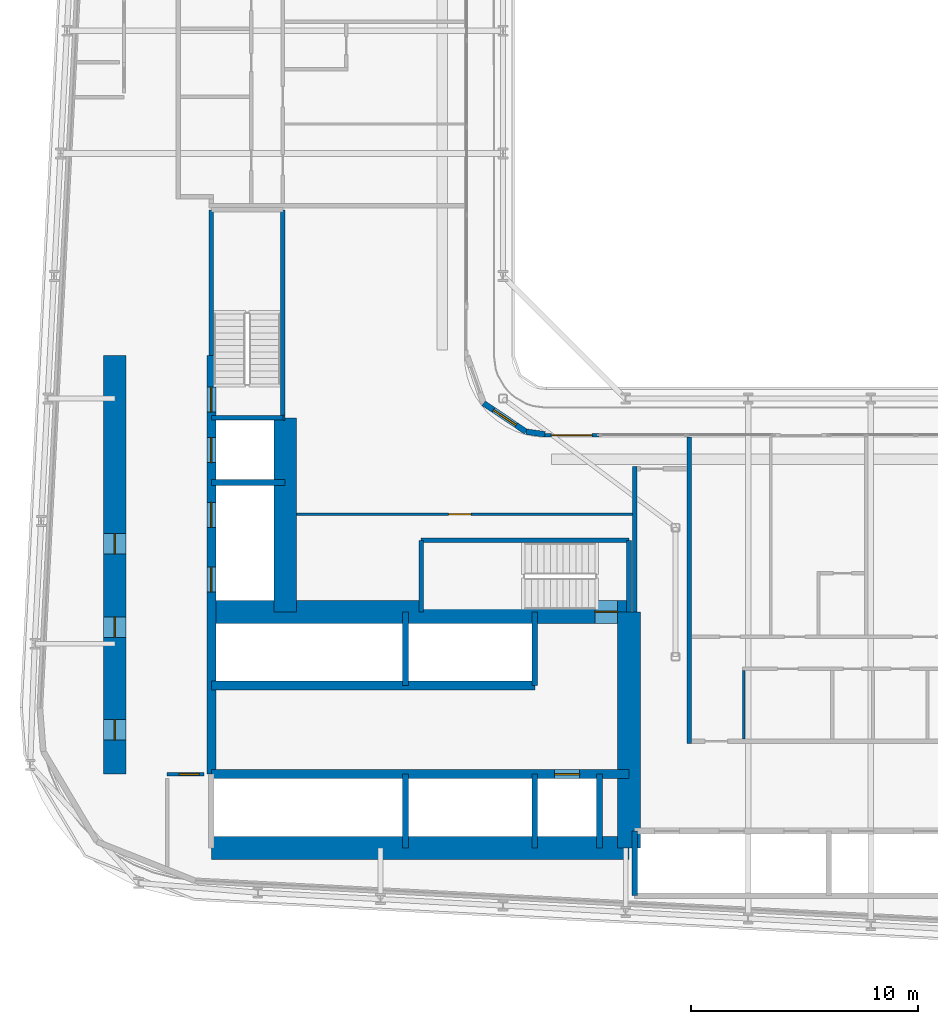
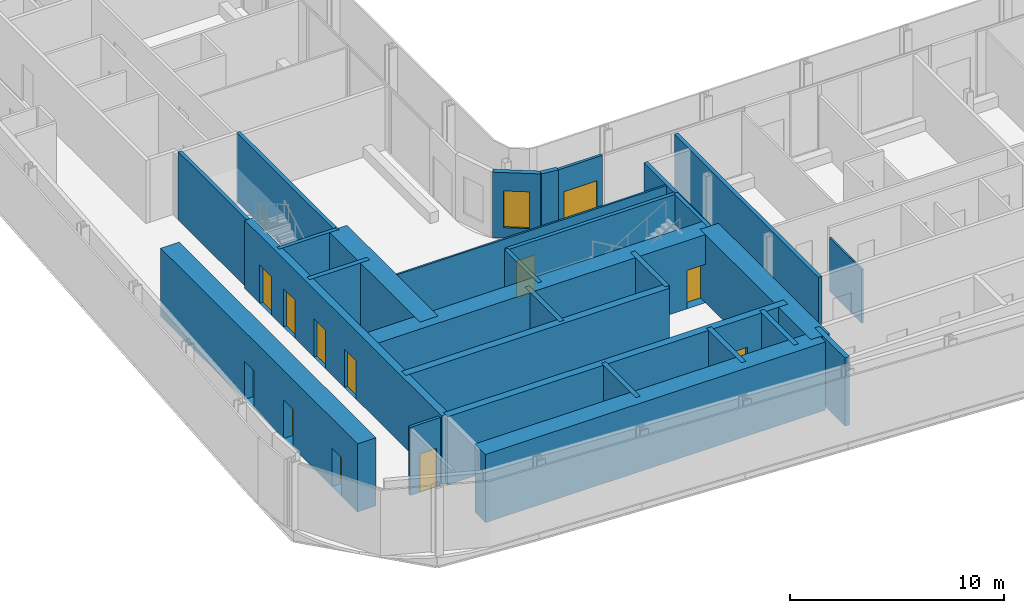
# One storey, part 12 of 27: 30 walls, 12 doors, 1 window, 13 openings.
"""IFC4 building model written with IfcOpenShell, lengths in metres."""

from ifc_helpers import new_model, si_unit, direction, frame, frame_2d, origin, place, context, subcontext, project, spatial, rectangle, extrude, source, transform, mapped, material, layer, layer_set, type_object, element, fill, save


model = new_model("IFC4")

# Units and contexts
model_context = context("Model", 3, precision=1e-05, world=origin(), true_north=direction((0.0, 1.0)))
body_context = subcontext(model_context, "Body", "Model", "MODEL_VIEW")
ifc_project = project(units=[si_unit("LENGTHUNIT", "METRE"), si_unit("AREAUNIT", "SQUARE_METRE"), si_unit("VOLUMEUNIT", "CUBIC_METRE"), si_unit("PLANEANGLEUNIT", "RADIAN"), si_unit("MASSUNIT", "GRAM", prefix="KILO")], contexts=[model_context])

# Site, building, storey
site_placement = place(None, origin())
site = spatial("IfcSite", under=ifc_project, at=site_placement, CompositionType="ELEMENT")
building_placement = place(site_placement, origin())
building = spatial("IfcBuilding", under=site, at=building_placement, Name="Kheshtan School and Residences Tower", CompositionType="ELEMENT")
storey_placement = place(building_placement, frame((0.0, 0.0, 57.800048828125)))
storey = spatial("IfcBuildingStorey", under=building, at=storey_placement, Name="L13", CompositionType="ELEMENT", Elevation=57.800048828125)

# Wall
ifc_material_1 = material(Name="Concrete C80/95", Category="concrete")
ifc_layer_1 = layer(ifc_material_1, 1.0)
ifc_layer_set_1 = layer_set([ifc_layer_1], Name="Core wall 1000 Concrete C80/95")
wall_type_1 = type_object("IfcWallType", Name="Core wall 1000 Concrete C80/95", PredefinedType="SHEAR", material=ifc_layer_set_1)
wall_1_placement = place(storey_placement, frame((34.75, 25.800048828125, 0.0), z_axis=(0.0, 0.0, 1.0), x_axis=(1.0, 0.0, 0.0)))
element("IfcWall", 1, at=wall_1_placement, inside=storey, type_object=wall_type_1, Name="Core wall CW-REAR-S", PredefinedType="SHEAR", context=body_context, shape_type="SweptSolid", body=[
    extrude(rectangle(XDim=18.39990234375, YDim=1.0, at=frame_2d((9.199951171875, 0.0))), origin(), (0.0, 0.0, 1.0), 3.89990234375),
])

# Wall, opening, door
wall_2_placement = place(storey_placement, frame((34.75, 36.199951171875, 0.0), z_axis=(0.0, 0.0, 1.0), x_axis=(1.0, 0.0, 0.0)))
wall_2 = element("IfcWall", 2, at=wall_2_placement, inside=storey, type_object=wall_type_1, Name="Core wall CW-FRONT-S", PredefinedType="SHEAR", context=body_context, shape_type="SweptSolid", body=[
    extrude(rectangle(XDim=18.39990234375, YDim=1.0, at=frame_2d((9.199951171875, 0.0))), origin(), (0.0, 0.0, 1.0), 3.89990234375),
])
opening_1_placement = place(wall_2_placement, frame((16.89990234375, 0.0, 0.0)))
opening_1 = element("IfcOpeningElement", 3, at=opening_1_placement, cuts=wall_2, Name="Opening ST1D", PredefinedType="OPENING", context=body_context, shape_type="SweptSolid", body=[
    extrude(rectangle(XDim=1.0, YDim=2.199951171875, at=frame_2d((0.5, 1.10009765625))), frame((0.0, 0.510009765625, 0.0), z_axis=(0.0, -1.0, 0.0), x_axis=(1.0, 0.0, 0.0)), (0.0, 0.0, 1.0), 1.02001953125),
])
ifc_material_2 = material(Name="Steel door leaf, galvanised", Category="steel")
door_type_1 = type_object("IfcDoorType", Name="Stair door 1100 steel 90 min", OperationType="SINGLE_SWING_LEFT", PredefinedType="DOOR", material=ifc_material_2)
shared_shape_1 = source(origin(), body_context, "Body", "SweptSolid", [
    extrude(rectangle(XDim=1.0, YDim=2.199951171875, at=frame_2d((0.5, 1.10009765625))), frame((0.0, 0.02490234375, 0.0), z_axis=(0.0, -1.0, 0.0), x_axis=(1.0, 0.0, 0.0)), (0.0, 0.0, 1.0), 0.050048828125),
])
door_1_placement = place(opening_1_placement, origin())
door_1 = element("IfcDoor", 4, at=door_1_placement, inside=storey, type_object=door_type_1, Name="Stair ST1 door", OperationType="SINGLE_SWING_RIGHT", OverallHeight=2.199951171875, OverallWidth=1.0, PredefinedType="DOOR", context=body_context, shape_type="MappedRepresentation", body=[
    mapped(shared_shape_1, transform((0.0, 0.0, 0.0), x_axis=(1.0, 0.0, 0.0), y_axis=(0.0, 1.0, 0.0), z_axis=(0.0, 0.0, 1.0), scale=1.0)),
])
fill(opening_1, door_1)

# Wall
wall_3_placement = place(storey_placement, frame((38.0, 36.199951171875, 0.0), z_axis=(0.0, 0.0, 1.0), x_axis=(0.0, 1.0, 0.0)))
element("IfcWall", 5, at=wall_3_placement, inside=storey, type_object=wall_type_1, Name="Core wall CW-FRONT-W", PredefinedType="SHEAR", context=body_context, shape_type="SweptSolid", body=[
    extrude(rectangle(XDim=8.550048828125, YDim=1.0, at=frame_2d((4.27490234375, 0.0))), origin(), (0.0, 0.0, 1.0), 3.89990234375),
])

# Wall, openings, doors
wall_4_placement = place(storey_placement, frame((30.5, 29.050048828125, 0.0), z_axis=(0.0, 0.0, 1.0), x_axis=(0.0, 1.0, 0.0)))
wall_4 = element("IfcWall", 6, at=wall_4_placement, inside=storey, type_object=wall_type_1, Name="Core wall CW-REAR-W", PredefinedType="SHEAR", context=body_context, shape_type="SweptSolid", body=[
    extrude(rectangle(XDim=18.449951171875, YDim=1.0, at=frame_2d((9.22509765625, 0.0))), origin(), (0.0, 0.0, 1.0), 3.89990234375),
])
opening_2_placement = place(wall_4_placement, frame((1.5, 0.0, 0.0)))
opening_2 = element("IfcOpeningElement", 7, at=opening_2_placement, cuts=wall_4, Name="Opening SR90", PredefinedType="OPENING", context=body_context, shape_type="SweptSolid", body=[
    extrude(rectangle(XDim=0.89990234375, YDim=2.199951171875, at=frame_2d((0.449951171875, 1.10009765625))), frame((0.0, 0.510009765625, 0.0), z_axis=(0.0, -1.0, 0.0), x_axis=(1.0, 0.0, 0.0)), (0.0, 0.0, 1.0), 1.02001953125),
])
opening_3_placement = place(wall_4_placement, frame((6.030029296875, 0.0, 0.0)))
opening_3 = element("IfcOpeningElement", 8, at=opening_3_placement, cuts=wall_4, Name="Opening SR90", PredefinedType="OPENING", context=body_context, shape_type="SweptSolid", body=[
    extrude(rectangle(XDim=0.89990234375, YDim=2.199951171875, at=frame_2d((0.449951171875, 1.10009765625))), frame((0.0, 0.510009765625, 0.0), z_axis=(0.0, -1.0, 0.0), x_axis=(1.0, 0.0, 0.0)), (0.0, 0.0, 1.0), 1.02001953125),
])
opening_4_placement = place(wall_4_placement, frame((9.699951171875, 0.0, 0.0)))
opening_4 = element("IfcOpeningElement", 9, at=opening_4_placement, cuts=wall_4, Name="Opening SR90", PredefinedType="OPENING", context=body_context, shape_type="SweptSolid", body=[
    extrude(rectangle(XDim=0.89990234375, YDim=2.199951171875, at=frame_2d((0.449951171875, 1.10009765625))), frame((0.0, 0.510009765625, 0.0), z_axis=(0.0, -1.0, 0.0), x_axis=(1.0, 0.0, 0.0)), (0.0, 0.0, 1.0), 1.02001953125),
])
door_type_2 = type_object("IfcDoorType", Name="Service room door 900 steel 90 min", OperationType="SINGLE_SWING_LEFT", PredefinedType="DOOR", material=ifc_material_2)
shared_shape_2 = source(origin(), body_context, "Body", "SweptSolid", [
    extrude(rectangle(XDim=0.89990234375, YDim=2.199951171875, at=frame_2d((0.449951171875, 1.10009765625))), frame((0.0, 0.02490234375, 0.0), z_axis=(0.0, -1.0, 0.0), x_axis=(1.0, 0.0, 0.0)), (0.0, 0.0, 1.0), 0.050048828125),
])
door_2_placement = place(opening_2_placement, origin())
door_2 = element("IfcDoor", 10, at=door_2_placement, inside=storey, type_object=door_type_2, Name="Service room door", OperationType="SINGLE_SWING_LEFT", OverallHeight=2.199951171875, OverallWidth=0.89990234375, PredefinedType="DOOR", context=body_context, shape_type="MappedRepresentation", body=[
    mapped(shared_shape_2, transform((0.0, 0.0, 0.0), x_axis=(1.0, 0.0, 0.0), y_axis=(0.0, 1.0, 0.0), z_axis=(0.0, 0.0, 1.0), scale=1.0)),
])
fill(opening_2, door_2)
door_3_placement = place(opening_3_placement, origin())
door_3 = element("IfcDoor", 11, at=door_3_placement, inside=storey, type_object=door_type_2, Name="Service room door", OperationType="SINGLE_SWING_RIGHT", OverallHeight=2.199951171875, OverallWidth=0.89990234375, PredefinedType="DOOR", context=body_context, shape_type="MappedRepresentation", body=[
    mapped(shared_shape_2, transform((0.0, 0.0, 0.0), x_axis=(1.0, 0.0, 0.0), y_axis=(0.0, 1.0, 0.0), z_axis=(0.0, 0.0, 1.0), scale=1.0)),
])
fill(opening_3, door_3)
door_4_placement = place(opening_4_placement, origin())
door_4 = element("IfcDoor", 12, at=door_4_placement, inside=storey, type_object=door_type_2, Name="Service room door", OperationType="SINGLE_SWING_LEFT", OverallHeight=2.199951171875, OverallWidth=0.89990234375, PredefinedType="DOOR", context=body_context, shape_type="MappedRepresentation", body=[
    mapped(shared_shape_2, transform((0.0, 0.0, 0.0), x_axis=(1.0, 0.0, 0.0), y_axis=(0.0, 1.0, 0.0), z_axis=(0.0, 0.0, 1.0), scale=1.0)),
])
fill(opening_4, door_4)

# Wall
wall_5_placement = place(storey_placement, frame((53.14990234375, 25.800048828125, 0.0), z_axis=(0.0, 0.0, 1.0), x_axis=(0.0, 1.0, 0.0)))
element("IfcWall", 13, at=wall_5_placement, inside=storey, type_object=wall_type_1, Name="Core wall CW-EAST", PredefinedType="SHEAR", context=body_context, shape_type="SweptSolid", body=[
    extrude(rectangle(XDim=10.39990234375, YDim=1.0, at=frame_2d((5.199951171875, 0.0))), origin(), (0.0, 0.0, 1.0), 3.89990234375),
])

# Wall, opening, door
ifc_material_3 = material(Name="Concrete C50/60", Category="concrete")
ifc_layer_2 = layer(ifc_material_3, 0.39990234375)
ifc_layer_set_2 = layer_set([ifc_layer_2], Name="Core wall 400 Concrete C50/60")
wall_type_2 = type_object("IfcWallType", Name="Core wall 400 Concrete C50/60", PredefinedType="SHEAR", material=ifc_layer_set_2)
wall_6_placement = place(storey_placement, frame((34.75, 29.050048828125, 0.0), z_axis=(0.0, 0.0, 1.0), x_axis=(1.0, 0.0, 0.0)))
wall_6 = element("IfcWall", 14, at=wall_6_placement, inside=storey, type_object=wall_type_2, Name="Core wall CW-HALL-S1", PredefinedType="SHEAR", context=body_context, shape_type="SweptSolid", body=[
    extrude(rectangle(XDim=18.39990234375, YDim=0.39990234375, at=frame_2d((9.199951171875, 0.0))), origin(), (0.0, 0.0, 1.0), 3.89990234375),
])
opening_5_placement = place(wall_6_placement, frame((15.125, 0.0, 0.0)))
opening_5 = element("IfcOpeningElement", 15, at=opening_5_placement, cuts=wall_6, Name="Opening LD", PredefinedType="OPENING", context=body_context, shape_type="SweptSolid", body=[
    extrude(rectangle(XDim=1.10009765625, YDim=2.199951171875, at=frame_2d((0.550048828125, 1.10009765625))), frame((0.0, 0.2099609375, 0.0), z_axis=(0.0, -1.0, 0.0), x_axis=(1.0, 0.0, 0.0)), (0.0, 0.0, 1.0), 0.419921875),
])
ifc_material_4 = material(Name="Stainless steel door leaves", Category="steel")
door_type_3 = type_object("IfcDoorType", Name="Lift landing door 1100", OperationType="SLIDING_TO_LEFT", PredefinedType="DOOR", material=ifc_material_4)
shared_shape_3 = source(origin(), body_context, "Body", "SweptSolid", [
    extrude(rectangle(XDim=1.10009765625, YDim=2.199951171875, at=frame_2d((0.550048828125, 1.10009765625))), frame((0.0, 0.02490234375, 0.0), z_axis=(0.0, -1.0, 0.0), x_axis=(1.0, 0.0, 0.0)), (0.0, 0.0, 1.0), 0.050048828125),
])
door_5_placement = place(opening_5_placement, origin())
door_5 = element("IfcDoor", 16, at=door_5_placement, inside=storey, type_object=door_type_3, Name="Lift FFL2 landing door", OperationType="SLIDING_TO_LEFT", OverallHeight=2.199951171875, OverallWidth=1.10009765625, PredefinedType="DOOR", context=body_context, shape_type="MappedRepresentation", body=[
    mapped(shared_shape_3, transform((0.0, 0.0, 0.0), x_axis=(1.0, 0.0, 0.0), y_axis=(0.0, 1.0, 0.0), z_axis=(0.0, 0.0, 1.0), scale=1.0)),
])
fill(opening_5, door_5)

# Wall
wall_7_placement = place(storey_placement, frame((34.75, 32.949951171875, 0.0), z_axis=(0.0, 0.0, 1.0), x_axis=(1.0, 0.0, 0.0)))
element("IfcWall", 17, at=wall_7_placement, inside=storey, type_object=wall_type_2, Name="Core wall CW-HALL-S2", PredefinedType="SHEAR", context=body_context, shape_type="SweptSolid", body=[
    extrude(rectangle(XDim=14.25, YDim=0.39990234375, at=frame_2d((7.125, 0.0))), origin(), (0.0, 0.0, 1.0), 3.89990234375),
])

# Wall, openings, doors
wall_8_placement = place(storey_placement, frame((34.75, 29.050048828125, 0.0), z_axis=(0.0, 0.0, 1.0), x_axis=(0.0, 1.0, 0.0)))
wall_8 = element("IfcWall", 18, at=wall_8_placement, inside=storey, type_object=wall_type_2, Name="Core wall CW-HALL-W1", PredefinedType="SHEAR", context=body_context, shape_type="SweptSolid", body=[
    extrude(rectangle(XDim=18.449951171875, YDim=0.39990234375, at=frame_2d((9.22509765625, 0.0))), origin(), (0.0, 0.0, 1.0), 3.89990234375),
])
opening_6_placement = place(wall_8_placement, frame((8.02490234375, 0.0, 0.0)))
opening_6 = element("IfcOpeningElement", 19, at=opening_6_placement, cuts=wall_8, Name="Opening LD", PredefinedType="OPENING", context=body_context, shape_type="SweptSolid", body=[
    extrude(rectangle(XDim=1.10009765625, YDim=2.199951171875, at=frame_2d((0.550048828125, 1.10009765625))), frame((0.0, 0.2099609375, 0.0), z_axis=(0.0, -1.0, 0.0), x_axis=(1.0, 0.0, 0.0)), (0.0, 0.0, 1.0), 0.419921875),
])
opening_7_placement = place(wall_8_placement, frame((10.875, 0.0, 0.0)))
opening_7 = element("IfcOpeningElement", 20, at=opening_7_placement, cuts=wall_8, Name="Opening LD", PredefinedType="OPENING", context=body_context, shape_type="SweptSolid", body=[
    extrude(rectangle(XDim=1.10009765625, YDim=2.199951171875, at=frame_2d((0.550048828125, 1.10009765625))), frame((0.0, 0.2099609375, 0.0), z_axis=(0.0, -1.0, 0.0), x_axis=(1.0, 0.0, 0.0)), (0.0, 0.0, 1.0), 0.419921875),
])
opening_8_placement = place(wall_8_placement, frame((13.72509765625, 0.0, 0.0)))
opening_8 = element("IfcOpeningElement", 21, at=opening_8_placement, cuts=wall_8, Name="Opening LD", PredefinedType="OPENING", context=body_context, shape_type="SweptSolid", body=[
    extrude(rectangle(XDim=1.10009765625, YDim=2.199951171875, at=frame_2d((0.550048828125, 1.10009765625))), frame((0.0, 0.2099609375, 0.0), z_axis=(0.0, -1.0, 0.0), x_axis=(1.0, 0.0, 0.0)), (0.0, 0.0, 1.0), 0.419921875),
])
opening_9_placement = place(wall_8_placement, frame((15.949951171875, 0.0, 0.0)))
opening_9 = element("IfcOpeningElement", 22, at=opening_9_placement, cuts=wall_8, Name="Opening ST2D", PredefinedType="OPENING", context=body_context, shape_type="SweptSolid", body=[
    extrude(rectangle(XDim=1.10009765625, YDim=2.199951171875, at=frame_2d((0.550048828125, 1.10009765625))), frame((0.0, 0.2099609375, 0.0), z_axis=(0.0, -1.0, 0.0), x_axis=(1.0, 0.0, 0.0)), (0.0, 0.0, 1.0), 0.419921875),
])
door_6_placement = place(opening_6_placement, origin())
door_6 = element("IfcDoor", 23, at=door_6_placement, inside=storey, type_object=door_type_3, Name="Lift SV1 landing door", OperationType="SLIDING_TO_LEFT", OverallHeight=2.199951171875, OverallWidth=1.10009765625, PredefinedType="DOOR", context=body_context, shape_type="MappedRepresentation", body=[
    mapped(shared_shape_3, transform((0.0, 0.0, 0.0), x_axis=(1.0, 0.0, 0.0), y_axis=(0.0, 1.0, 0.0), z_axis=(0.0, 0.0, 1.0), scale=1.0)),
])
fill(opening_6, door_6)
door_7_placement = place(opening_7_placement, origin())
door_7 = element("IfcDoor", 24, at=door_7_placement, inside=storey, type_object=door_type_3, Name="Lift SV2 landing door", OperationType="SLIDING_TO_LEFT", OverallHeight=2.199951171875, OverallWidth=1.10009765625, PredefinedType="DOOR", context=body_context, shape_type="MappedRepresentation", body=[
    mapped(shared_shape_3, transform((0.0, 0.0, 0.0), x_axis=(1.0, 0.0, 0.0), y_axis=(0.0, 1.0, 0.0), z_axis=(0.0, 0.0, 1.0), scale=1.0)),
])
fill(opening_7, door_7)
door_8_placement = place(opening_8_placement, origin())
door_8 = element("IfcDoor", 25, at=door_8_placement, inside=storey, type_object=door_type_3, Name="Lift FFL1 landing door", OperationType="SLIDING_TO_LEFT", OverallHeight=2.199951171875, OverallWidth=1.10009765625, PredefinedType="DOOR", context=body_context, shape_type="MappedRepresentation", body=[
    mapped(shared_shape_3, transform((0.0, 0.0, 0.0), x_axis=(1.0, 0.0, 0.0), y_axis=(0.0, 1.0, 0.0), z_axis=(0.0, 0.0, 1.0), scale=1.0)),
])
fill(opening_8, door_8)
shared_shape_4 = source(origin(), body_context, "Body", "SweptSolid", [
    extrude(rectangle(XDim=1.10009765625, YDim=2.199951171875, at=frame_2d((0.550048828125, 1.10009765625))), frame((0.0, 0.02490234375, 0.0), z_axis=(0.0, -1.0, 0.0), x_axis=(1.0, 0.0, 0.0)), (0.0, 0.0, 1.0), 0.050048828125),
])
door_9_placement = place(opening_9_placement, origin())
door_9 = element("IfcDoor", 26, at=door_9_placement, inside=storey, type_object=door_type_1, Name="Stair ST2 door", OperationType="SINGLE_SWING_RIGHT", OverallHeight=2.199951171875, OverallWidth=1.10009765625, PredefinedType="DOOR", context=body_context, shape_type="MappedRepresentation", body=[
    mapped(shared_shape_4, transform((0.0, 0.0, 0.0), x_axis=(1.0, 0.0, 0.0), y_axis=(0.0, 1.0, 0.0), z_axis=(0.0, 0.0, 1.0), scale=1.0)),
])
fill(opening_9, door_9)

# Wall
ifc_material_5 = material(Name="Gypsum board on steel studs with fire boards", Category="steel")
ifc_layer_3 = layer(ifc_material_5, 0.199951171875)
ifc_layer_set_3 = layer_set([ifc_layer_3], Name="Corridor wall 200")
wall_type_3 = type_object("IfcWallType", Name="Corridor wall 200", PredefinedType="PARTITIONING", material=ifc_layer_set_3)
wall_9_placement = place(storey_placement, frame((53.39990234375, 36.198974609375, 0.0), z_axis=(0.0, 0.0, 1.0), x_axis=(0.0, 1.0, 0.0)))
element("IfcWall", 27, at=wall_9_placement, inside=storey, type_object=wall_type_3, Name="Partition L13-043", PredefinedType="PARTITIONING", context=body_context, shape_type="SweptSolid", body=[
    extrude(rectangle(XDim=6.401123046875, YDim=0.199951171875, at=frame_2d((3.20068359375, 0.0))), origin(), (0.0, 0.0, 1.0), 3.599853515625),
])

# Wall, opening, window
ifc_material_6 = material(Name="Concrete C40/50 with ceramic cladding and mineral wool insulation", Category="concrete")
ifc_layer_4 = layer(ifc_material_6, 0.25)
ifc_layer_set_4 = layer_set([ifc_layer_4], Name="External wall 250 ceramic clad")
wall_type_4 = type_object("IfcWallType", Name="External wall 250 ceramic clad", PredefinedType="SOLIDWALL", material=ifc_layer_set_4)
wall_10_placement = place(storey_placement, frame((46.742919921875, 45.388916015625, 0.0), z_axis=(0.0, 0.0, 1.0), x_axis=(0.831449265529, -0.555600682912, 0.0)))
wall_10 = element("IfcWall", 28, at=wall_10_placement, inside=storey, type_object=wall_type_4, Name="External wall L13 10", PredefinedType="SOLIDWALL", context=body_context, shape_type="SweptSolid", body=[
    extrude(rectangle(XDim=2.25146484375, YDim=0.25, at=frame_2d((1.125732421875, 0.0))), origin(), (0.0, 0.0, 1.0), 3.75),
])
opening_10_placement = place(wall_10_placement, frame((0.52490234375, 0.0, 0.60009765625)))
opening_10 = element("IfcOpeningElement", 29, at=opening_10_placement, cuts=wall_10, Name="Opening WN-E", PredefinedType="OPENING", context=body_context, shape_type="SweptSolid", body=[
    extrude(rectangle(XDim=1.199951171875, YDim=2.10009765625, at=frame_2d((0.60009765625, 1.050048828125))), frame((0.0, 0.135009765625, 0.0), z_axis=(0.0, -1.0, 0.0), x_axis=(1.0, 0.0, 0.0)), (0.0, 0.0, 1.0), 0.27001953125),
])
ifc_material_7 = material(Name="Clear low-e glass in thermally broken aluminium frame", Category="aluminium")
window_type = type_object("IfcWindowType", Name="Window WN-E", PartitioningType="SINGLE_PANEL", PredefinedType="WINDOW", material=ifc_material_7)
shared_shape_5 = source(origin(), body_context, "Body", "SweptSolid", [
    extrude(rectangle(XDim=1.199951171875, YDim=2.10009765625, at=frame_2d((0.60009765625, 1.050048828125))), frame((0.0, 0.030029296875, 0.0), z_axis=(0.0, -1.0, 0.0), x_axis=(1.0, 0.0, 0.0)), (0.0, 0.0, 1.0), 0.06005859375),
])
window_placement = place(opening_10_placement, origin())
window = element("IfcWindow", 30, at=window_placement, inside=storey, type_object=window_type, Name="Window L13 10", OverallHeight=2.10009765625, OverallWidth=1.199951171875, PartitioningType="SINGLE_PANEL", PredefinedType="WINDOW", context=body_context, shape_type="MappedRepresentation", body=[
    mapped(shared_shape_5, transform((0.0, 0.0, 0.0), x_axis=(1.0, 0.0, 0.0), y_axis=(0.0, 1.0, 0.0), z_axis=(0.0, 0.0, 1.0), scale=1.0)),
])
fill(opening_10, window)

# Wall
wall_11_placement = place(storey_placement, frame((48.614990234375, 44.137939453125, 0.0), z_axis=(0.0, 0.0, 1.0), x_axis=(0.990741504246, -0.135761819977, 0.0)))
element("IfcWall", 31, at=wall_11_placement, inside=storey, type_object=wall_type_4, Name="External wall L13 11", PredefinedType="SOLIDWALL", context=body_context, shape_type="SweptSolid", body=[
    extrude(rectangle(XDim=0.83984375, YDim=0.25, at=frame_2d((0.419921875, 0.0))), origin(), (0.0, 0.0, 1.0), 3.75),
])

# Wall, opening, door
ifc_material_8 = material(Name="Aluminium frame wall with insulated infill", Category="aluminium")
ifc_layer_5 = layer(ifc_material_8, 0.14990234375)
ifc_layer_set_5 = layer_set([ifc_layer_5], Name="Glazing frame wall 150")
wall_type_5 = type_object("IfcWallType", Name="Glazing frame wall 150", PredefinedType="SOLIDWALL", material=ifc_layer_set_5)
wall_12_placement = place(storey_placement, frame((49.429931640625, 43.97509765625, 0.0), z_axis=(0.0, 0.0, 1.0), x_axis=(1.0, 0.0, 0.0)))
wall_12 = element("IfcWall", 32, at=wall_12_placement, inside=storey, type_object=wall_type_5, Name="Balcony door wall L13 12.1", PredefinedType="SOLIDWALL", context=body_context, shape_type="SweptSolid", body=[
    extrude(rectangle(XDim=2.400146484375, YDim=0.14990234375, at=frame_2d((1.2001953125, 0.0))), origin(), (0.0, 0.0, 1.0), 3.75),
])
opening_11_placement = place(wall_12_placement, frame((0.300048828125, 0.0, 0.0)))
opening_11 = element("IfcOpeningElement", 33, at=opening_11_placement, cuts=wall_12, Name="Opening BD", PredefinedType="OPENING", context=body_context, shape_type="SweptSolid", body=[
    extrude(rectangle(XDim=1.800048828125, YDim=2.39990234375, at=frame_2d((0.89990234375, 1.199951171875))), frame((0.0, 0.0849609375, 0.0), z_axis=(0.0, -1.0, 0.0), x_axis=(1.0, 0.0, 0.0)), (0.0, 0.0, 1.0), 0.169921875),
])
door_type_4 = type_object("IfcDoorType", Name="Balcony sliding door", OperationType="SLIDING_TO_LEFT", PredefinedType="DOOR", material=ifc_material_7)
shared_shape_6 = source(origin(), body_context, "Body", "SweptSolid", [
    extrude(rectangle(XDim=1.800048828125, YDim=2.39990234375, at=frame_2d((0.89990234375, 1.199951171875))), frame((0.0, 0.02490234375, 0.0), z_axis=(0.0, -1.0, 0.0), x_axis=(1.0, 0.0, 0.0)), (0.0, 0.0, 1.0), 0.050048828125),
])
door_10_placement = place(opening_11_placement, origin())
door_10 = element("IfcDoor", 34, at=door_10_placement, inside=storey, type_object=door_type_4, Name="Balcony door L13 12.1", OperationType="SLIDING_TO_LEFT", OverallHeight=2.39990234375, OverallWidth=1.800048828125, PredefinedType="DOOR", context=body_context, shape_type="MappedRepresentation", body=[
    mapped(shared_shape_6, transform((0.0, 0.0, 0.0), x_axis=(1.0, 0.0, 0.0), y_axis=(0.0, 1.0, 0.0), z_axis=(0.0, 0.0, 1.0), scale=1.0)),
])
fill(opening_11, door_10)

ifc_material_9 = material(Name="Gypsum board on steel studs", Category="steel")
ifc_layer_6 = layer(ifc_material_9, 0.10009765625)
ifc_layer_set_6 = layer_set([ifc_layer_6], Name="Gypsum partition 100")
wall_type_6 = type_object("IfcWallType", Name="Gypsum partition 100", PredefinedType="PARTITIONING", material=ifc_layer_set_6)
wall_13_placement = place(storey_placement, frame((38.4990234375, 40.5, 0.0), z_axis=(0.0, 0.0, 1.0), x_axis=(1.0, 0.0, 0.0)))
wall_13 = element("IfcWall", 35, at=wall_13_placement, inside=storey, type_object=wall_type_6, Name="Partition L13-040", PredefinedType="PARTITIONING", context=body_context, shape_type="SweptSolid", body=[
    extrude(rectangle(XDim=14.801025390625, YDim=0.10009765625, at=frame_2d((7.400390625, 0.0))), origin(), (0.0, 0.0, 1.0), 3.599853515625),
])
opening_12_placement = place(wall_13_placement, frame((6.700927734375, 0.0, 0.0)))
opening_12 = element("IfcOpeningElement", 36, at=opening_12_placement, cuts=wall_13, Name="Opening D12-058", PredefinedType="OPENING", context=body_context, shape_type="SweptSolid", body=[
    extrude(rectangle(XDim=1.0, YDim=2.10009765625, at=frame_2d((0.5, 1.050048828125))), frame((0.0, 0.06005859375, 0.0), z_axis=(0.0, -1.0, 0.0), x_axis=(1.0, 0.0, 0.0)), (0.0, 0.0, 1.0), 0.1201171875),
])
ifc_material_10 = material(Name="Veneered timber door leaf", Category="wood")
door_type_5 = type_object("IfcDoorType", Name="Door 1000 x 2100", OperationType="SINGLE_SWING_LEFT", PredefinedType="DOOR", material=ifc_material_10)
shared_shape_7 = source(origin(), body_context, "Body", "SweptSolid", [
    extrude(rectangle(XDim=1.0, YDim=2.10009765625, at=frame_2d((0.5, 1.050048828125))), frame((0.0, 0.02490234375, 0.0), z_axis=(0.0, -1.0, 0.0), x_axis=(1.0, 0.0, 0.0)), (0.0, 0.0, 1.0), 0.050048828125),
])
door_11_placement = place(opening_12_placement, origin())
door_11 = element("IfcDoor", 37, at=door_11_placement, inside=storey, type_object=door_type_5, Name="Door D12-058", OperationType="SINGLE_SWING_RIGHT", OverallHeight=2.10009765625, OverallWidth=1.0, PredefinedType="DOOR", context=body_context, shape_type="MappedRepresentation", body=[
    mapped(shared_shape_7, transform((0.0, 0.0, 0.0), x_axis=(1.0, 0.0, 0.0), y_axis=(0.0, 1.0, 0.0), z_axis=(0.0, 0.0, 1.0), scale=1.0)),
])
fill(opening_12, door_11)

# Wall
wall_14_placement = place(storey_placement, frame((58.199951171875, 30.60009765625, 0.0), z_axis=(0.0, 0.0, 1.0), x_axis=(0.0, 1.0, 0.0)))
element("IfcWall", 38, at=wall_14_placement, inside=storey, type_object=wall_type_6, Name="Partition L13-049", PredefinedType="PARTITIONING", context=body_context, shape_type="SweptSolid", body=[
    extrude(rectangle(XDim=3.02490234375, YDim=0.10009765625, at=frame_2d((1.512451171875, 0.0))), origin(), (0.0, 0.0, 1.0), 3.072021484375),
])

# Wall, opening, door
ifc_material_11 = material(Name="Fire-board shaft wall system")
ifc_layer_7 = layer(ifc_material_11, 0.14990234375)
ifc_layer_set_7 = layer_set([ifc_layer_7], Name="Service room wall 150")
wall_type_7 = type_object("IfcWallType", Name="Service room wall 150", PredefinedType="PARTITIONING", material=ifc_layer_set_7)
wall_15_placement = place(storey_placement, frame((32.804931640625, 29.050048828125, 0.0), z_axis=(0.0, 0.0, 1.0), x_axis=(1.0, 0.0, 0.0)))
wall_15 = element("IfcWall", 39, at=wall_15_placement, inside=storey, type_object=wall_type_7, Name="Service room wall", PredefinedType="PARTITIONING", context=body_context, shape_type="SweptSolid", body=[
    extrude(rectangle(XDim=1.625, YDim=0.14990234375, at=frame_2d((0.8125, 0.0))), origin(), (0.0, 0.0, 1.0), 3.89990234375),
])
opening_13_placement = place(wall_15_placement, frame((0.52294921875, 0.0, 0.0)))
opening_13 = element("IfcOpeningElement", 40, at=opening_13_placement, cuts=wall_15, Name="Opening SR90", PredefinedType="OPENING", context=body_context, shape_type="SweptSolid", body=[
    extrude(rectangle(XDim=0.89990234375, YDim=2.199951171875, at=frame_2d((0.449951171875, 1.10009765625))), frame((0.0, 0.0849609375, 0.0), z_axis=(0.0, -1.0, 0.0), x_axis=(1.0, 0.0, 0.0)), (0.0, 0.0, 1.0), 0.169921875),
])
door_12_placement = place(opening_13_placement, origin())
door_12 = element("IfcDoor", 41, at=door_12_placement, inside=storey, type_object=door_type_2, Name="Service room door", OperationType="SINGLE_SWING_LEFT", OverallHeight=2.199951171875, OverallWidth=0.89990234375, PredefinedType="DOOR", context=body_context, shape_type="MappedRepresentation", body=[
    mapped(shared_shape_2, transform((0.0, 0.0, 0.0), x_axis=(1.0, 0.0, 0.0), y_axis=(0.0, 1.0, 0.0), z_axis=(0.0, 0.0, 1.0), scale=1.0)),
])
fill(opening_13, door_12)

# Walls
ifc_layer_8 = layer(ifc_material_11, 0.25)
ifc_layer_set_8 = layer_set([ifc_layer_8], Name="Shaft lining wall 250")
wall_type_8 = type_object("IfcWallType", Name="Shaft lining wall 250", PredefinedType="PARTITIONING", material=ifc_layer_set_8)
for number, where, z_axis, x_axis, name in (
    (42, (43.300048828125, 25.800048828125, 0.0), (0.0, 0.0, 1.0), (0.0, 1.0, 0.0), "Shaft lining wall"),
    (43, (43.300048828125, 32.949951171875, 0.0), (0.0, 0.0, 1.0), (0.0, 1.0, 0.0), "Shaft lining wall"),
    (44, (49.0, 25.800048828125, 0.0), (0.0, 0.0, 1.0), (0.0, 1.0, 0.0), "Shaft lining wall"),
    (45, (49.0, 32.949951171875, 0.0), (0.0, 0.0, 1.0), (0.0, 1.0, 0.0), "Shaft lining wall"),
    (46, (51.85009765625, 25.800048828125, 0.0), (0.0, 0.0, 1.0), (0.0, 1.0, 0.0), "Shaft lining wall"),
):
    element("IfcWall", number, at=place(storey_placement, frame(where, z_axis=z_axis, x_axis=x_axis)), inside=storey, type_object=wall_type_8, Name=name, PredefinedType="PARTITIONING", context=body_context, shape_type="SweptSolid", body=[
        extrude(rectangle(XDim=3.25, YDim=0.25, at=frame_2d((1.625, 0.0))), origin(), (0.0, 0.0, 1.0), 3.89990234375),
    ])
wall_16_placement = place(storey_placement, frame((53.39990234375, 23.699951171875, 0.0), z_axis=(0.0, 0.0, 1.0), x_axis=(0.0, 1.0, 0.0)))
element("IfcWall", 47, at=wall_16_placement, inside=storey, type_object=wall_type_8, Name="Shaft lining wall", PredefinedType="PARTITIONING", context=body_context, shape_type="SweptSolid", body=[
    extrude(rectangle(XDim=2.85009765625, YDim=0.25, at=frame_2d((1.425048828125, 0.0))), origin(), (0.0, 0.0, 1.0), 3.89990234375),
])
wall_17_placement = place(storey_placement, frame((34.75, 41.89990234375, 0.0), z_axis=(0.0, 0.0, 1.0), x_axis=(1.0, 0.0, 0.0)))
element("IfcWall", 48, at=wall_17_placement, inside=storey, type_object=wall_type_8, Name="Shaft lining wall", PredefinedType="PARTITIONING", context=body_context, shape_type="SweptSolid", body=[
    extrude(rectangle(XDim=3.25, YDim=0.25, at=frame_2d((1.625, 0.0))), origin(), (0.0, 0.0, 1.0), 3.89990234375),
])
wall_18_placement = place(storey_placement, frame((37.89990234375, 44.75, 0.0), z_axis=(0.0, 0.0, 1.0), x_axis=(1.0, 0.0, 0.0)))
element("IfcWall", 49, at=wall_18_placement, inside=storey, type_object=wall_type_8, Name="Shaft lining wall", PredefinedType="PARTITIONING", context=body_context, shape_type="SweptSolid", body=[
    extrude(rectangle(XDim=0.10009765625, YDim=0.25, at=frame_2d((0.050048828125, 0.0))), origin(), (0.0, 0.0, 1.0), 3.89990234375),
])
ifc_material_12 = material(Name="Concrete C40/50", Category="concrete")
ifc_layer_9 = layer(ifc_material_12, 0.199951171875)
ifc_layer_set_9 = layer_set([ifc_layer_9], Name="Stair enclosure wall 200 Concrete C40/50")
wall_type_9 = type_object("IfcWallType", Name="Stair enclosure wall 200 Concrete C40/50", PredefinedType="SHEAR", material=ifc_layer_set_9)
wall_19_placement = place(storey_placement, frame((43.989990234375, 39.35009765625, 0.0), z_axis=(0.0, 0.0, 1.0), x_axis=(1.0, 0.0, 0.0)))
element("IfcWall", 50, at=wall_19_placement, inside=storey, type_object=wall_type_9, Name="Stair enclosure wall ST1", PredefinedType="SHEAR", context=body_context, shape_type="SweptSolid", body=[
    extrude(rectangle(XDim=9.159912109375, YDim=0.199951171875, at=frame_2d((4.580078125, 0.0))), origin(), (0.0, 0.0, 1.0), 3.89990234375),
])
for number, where, z_axis, x_axis, name in (
    (51, (43.989990234375, 36.199951171875, 0.0), (0.0, 0.0, 1.0), (0.0, 1.0, 0.0), "Stair enclosure wall ST1"),
    (52, (53.14990234375, 36.199951171875, 0.0), (0.0, 0.0, 1.0), (0.0, 1.0, 0.0), "Stair enclosure wall ST1"),
):
    element("IfcWall", number, at=place(storey_placement, frame(where, z_axis=z_axis, x_axis=x_axis)), inside=storey, type_object=wall_type_9, Name=name, PredefinedType="SHEAR", context=body_context, shape_type="SweptSolid", body=[
        extrude(rectangle(XDim=3.150146484375, YDim=0.199951171875, at=frame_2d((1.5751953125, 0.0))), origin(), (0.0, 0.0, 1.0), 3.89990234375),
    ])
wall_20_placement = place(storey_placement, frame((34.75, 44.75, 0.0), z_axis=(0.0, 0.0, 1.0), x_axis=(1.0, 0.0, 0.0)))
element("IfcWall", 53, at=wall_20_placement, inside=storey, type_object=wall_type_9, Name="Stair enclosure wall ST2", PredefinedType="SHEAR", context=body_context, shape_type="SweptSolid", body=[
    extrude(rectangle(XDim=3.14990234375, YDim=0.199951171875, at=frame_2d((1.574951171875, 0.0))), origin(), (0.0, 0.0, 1.0), 3.89990234375),
])
wall_21_placement = place(storey_placement, frame((34.75, 47.5, 0.0), z_axis=(0.0, 0.0, 1.0), x_axis=(0.0, 1.0, 0.0)))
element("IfcWall", 54, at=wall_21_placement, inside=storey, type_object=wall_type_9, Name="Stair enclosure wall ST2", PredefinedType="SHEAR", context=body_context, shape_type="SweptSolid", body=[
    extrude(rectangle(XDim=6.409912109375, YDim=0.199951171875, at=frame_2d((3.205078125, 0.0))), origin(), (0.0, 0.0, 1.0), 3.89990234375),
])
wall_22_placement = place(storey_placement, frame((37.89990234375, 44.75, 0.0), z_axis=(0.0, 0.0, 1.0), x_axis=(0.0, 1.0, 0.0)))
element("IfcWall", 55, at=wall_22_placement, inside=storey, type_object=wall_type_9, Name="Stair enclosure wall ST2", PredefinedType="SHEAR", context=body_context, shape_type="SweptSolid", body=[
    extrude(rectangle(XDim=9.159912109375, YDim=0.199951171875, at=frame_2d((4.580078125, 0.0))), origin(), (0.0, 0.0, 1.0), 3.89990234375),
])
ifc_material_13 = material(Name="Twin gypsum board on steel studs with mineral wool", Category="steel")
ifc_layer_10 = layer(ifc_material_13, 0.199951171875)
ifc_layer_set_10 = layer_set([ifc_layer_10], Name="Unit demising wall 200")
wall_type_10 = type_object("IfcWallType", Name="Unit demising wall 200", PredefinedType="PARTITIONING", material=ifc_layer_set_10)
wall_23_placement = place(storey_placement, frame((55.800048828125, 30.39990234375, 0.0), z_axis=(0.0, 0.0, 1.0), x_axis=(0.0, 1.0, 0.0)))
element("IfcWall", 56, at=wall_23_placement, inside=storey, type_object=wall_type_10, Name="Partition L13-045", PredefinedType="PARTITIONING", context=body_context, shape_type="SweptSolid", body=[
    extrude(rectangle(XDim=13.5, YDim=0.199951171875, at=frame_2d((6.75, 0.0))), origin(), (0.0, 0.0, 1.0), 3.599853515625),
])

save(model, "model.ifc")
